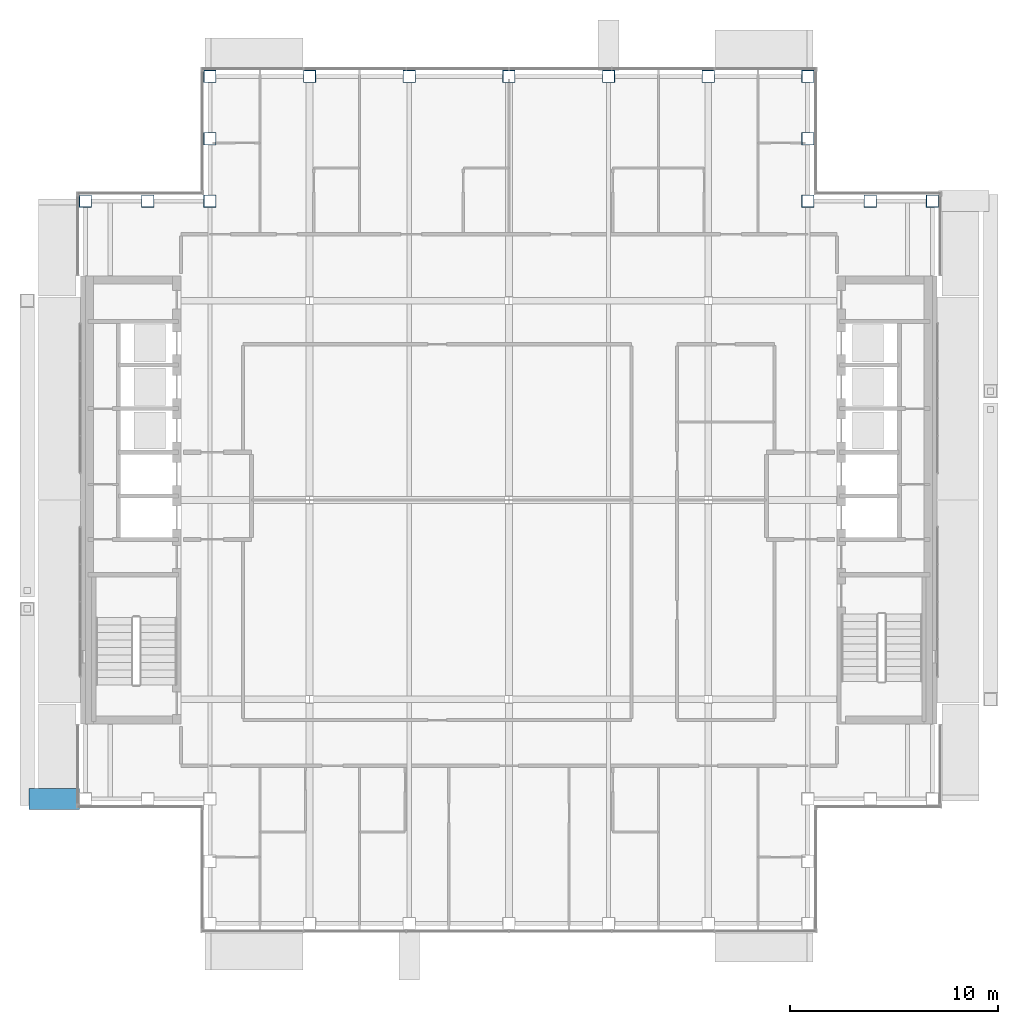
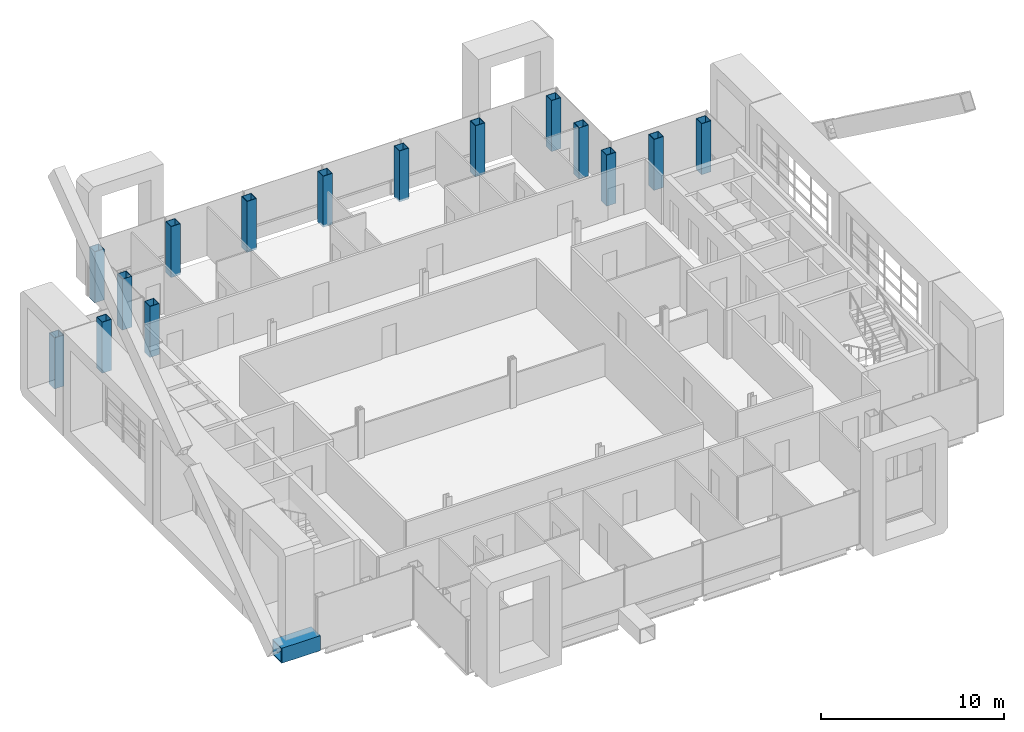
# One storey, part 3 of 23: 15 columns, 1 beam.
"""IFC4 building model written with IfcOpenShell, lengths in metres."""

from ifc_helpers import new_model, si_unit, direction, frame, origin, origin_2d, place, context, subcontext, project, spatial, hollow_rectangle, extrude, material, material_profile, profile_set, type_object, element, save


model = new_model("IFC4")

# Units and contexts
model_context = context("Model", 3, precision=1e-05, world=origin(), true_north=direction((0.0, 1.0)))
body_context = subcontext(model_context, "Body", "Model", "MODEL_VIEW")
ifc_project = project(units=[si_unit("LENGTHUNIT", "METRE"), si_unit("AREAUNIT", "SQUARE_METRE"), si_unit("VOLUMEUNIT", "CUBIC_METRE"), si_unit("PLANEANGLEUNIT", "RADIAN"), si_unit("MASSUNIT", "GRAM", prefix="KILO")], contexts=[model_context])

# Site, building, storey
site_placement = place(None, origin())
site = spatial("IfcSite", under=ifc_project, at=site_placement, CompositionType="ELEMENT")
building_placement = place(site_placement, origin())
building = spatial("IfcBuilding", under=site, at=building_placement, Name="Cobrizo Arcos Hotel Tower", CompositionType="ELEMENT")
storey_placement = place(building_placement, frame((0.0, 0.0, 262.0)))
storey = spatial("IfcBuildingStorey", under=building, at=storey_placement, Name="L69", CompositionType="ELEMENT", Elevation=262.0)

# Columns
ifc_material = material(Name="Steel ASTM A572 Grade 50", Category="steel")
ifc_material_profile_1 = material_profile(ifc_material, hollow_rectangle(XDim=0.60009765625, YDim=0.60009765625, WallThickness=0.030029296875, at=origin_2d()), Name="BOX 600X600X30")
ifc_profile_set_1 = profile_set([ifc_material_profile_1], Name="Steel ASTM A572 Grade 50")
column_type = type_object("IfcColumnType", Name="BOX 600X600X30 column", PredefinedType="COLUMN", material=ifc_profile_set_1)
for number, where, z_axis, x_axis, name in (
    (1, (-14.39990234375, 20.39990234375, -0.14990234375), (0.0, 0.0, 1.0), (1.0, 0.0, 0.0), "Perimeter column C12, L69, no. 00"),
    (2, (-9.60009765625, 20.39990234375, -0.14990234375), (0.0, 0.0, 1.0), (1.0, 0.0, 0.0), "Perimeter column C12, L69, no. 02"),
    (3, (-4.800048828125, 20.39990234375, -0.14990234375), (0.0, 0.0, 1.0), (1.0, 0.0, 0.0), "Perimeter column C12, L69, no. 04"),
    (4, (0.0, 20.39990234375, -0.14990234375), (0.0, 0.0, 1.0), (1.0, 0.0, 0.0), "Perimeter column C12, L69, no. 06"),
    (5, (4.800048828125, 20.39990234375, -0.14990234375), (0.0, 0.0, 1.0), (1.0, 0.0, 0.0), "Perimeter column C12, L69, no. 08"),
    (6, (9.60009765625, 20.39990234375, -0.14990234375), (0.0, 0.0, 1.0), (1.0, 0.0, 0.0), "Perimeter column C12, L69, no. 10"),
    (7, (14.39990234375, 20.39990234375, -0.14990234375), (0.0, 0.0, 1.0), (1.0, 0.0, 0.0), "Perimeter column C12, L69, no. 12"),
    (8, (20.39990234375, 14.39990234375, -0.14990234375), (0.0, 0.0, 1.0), (1.0, 0.0, 0.0), "Perimeter column C12, L69, no. 16"),
    (9, (-20.39990234375, 14.39990234375, -0.14990234375), (0.0, 0.0, 1.0), (1.0, 0.0, 0.0), "Perimeter column C12, L69, no. 17"),
    (10, (-14.39990234375, 14.39990234375, -0.14990234375), (0.0, 0.0, 1.0), (1.0, 0.0, 0.0), "Perimeter column C12, L69, no. 21"),
    (11, (-14.39990234375, 17.39990234375, -0.14990234375), (0.0, 0.0, 1.0), (1.0, 0.0, 0.0), "Perimeter column C12, L69, no. 22"),
    (12, (-17.39990234375, 14.39990234375, -0.14990234375), (0.0, 0.0, 1.0), (1.0, 0.0, 0.0), "Perimeter column C12, L69, no. 23"),
    (13, (14.39990234375, 14.39990234375, -0.14990234375), (0.0, 0.0, 1.0), (1.0, 0.0, 0.0), "Perimeter column C12, L69, no. 27"),
    (14, (14.39990234375, 17.39990234375, -0.14990234375), (0.0, 0.0, 1.0), (1.0, 0.0, 0.0), "Perimeter column C12, L69, no. 28"),
    (15, (17.39990234375, 14.39990234375, -0.14990234375), (0.0, 0.0, 1.0), (1.0, 0.0, 0.0), "Perimeter column C12, L69, no. 29"),
):
    element("IfcColumn", number, at=place(storey_placement, frame(where, z_axis=z_axis, x_axis=x_axis)), inside=storey, type_object=column_type, Name=name, PredefinedType="COLUMN", context=body_context, shape_type="SweptSolid", body=[
        extrude(hollow_rectangle(XDim=0.60009765625, YDim=0.60009765625, WallThickness=0.030029296875, at=origin_2d()), origin(), (0.0, 0.0, 1.0), 3.39990234375),
    ])

# Beam
ifc_material_profile_2 = material_profile(ifc_material, hollow_rectangle(XDim=1.0, YDim=1.0, WallThickness=0.06005859375, at=origin_2d()), Name="BOX 1000X1000X60")
ifc_profile_set_2 = profile_set([ifc_material_profile_2], Name="Steel ASTM A572 Grade 50")
beam_type = type_object("IfcBeamType", Name="BOX 1000X1000X60 brace connector strut", PredefinedType="BEAM", material=ifc_profile_set_2)
beam_placement = place(storey_placement, frame((-20.68994140625, -14.39990234375, 0.5), z_axis=(-1.0, 0.0, 0.0), x_axis=(0.0, -1.0, 0.0)))
element("IfcBeam", 16, at=beam_placement, inside=storey, type_object=beam_type, Name="Perimeter brace stub BS1, zone Z5, west face, offset -14.40 m, L69", PredefinedType="BEAM", context=body_context, shape_type="SweptSolid", body=[
    extrude(hollow_rectangle(XDim=1.0, YDim=1.0, WallThickness=0.06005859375, at=origin_2d()), origin(), (0.0, 0.0, 1.0), 2.43017578125),
])

save(model, "model.ifc")
